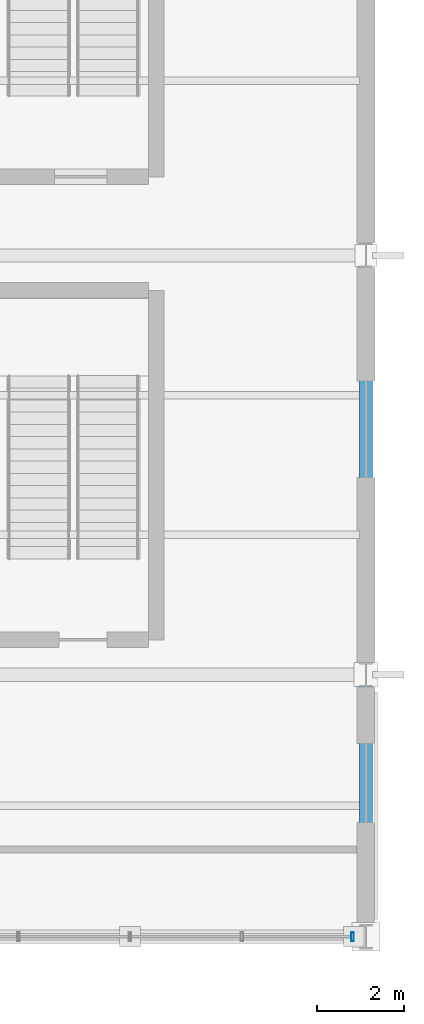
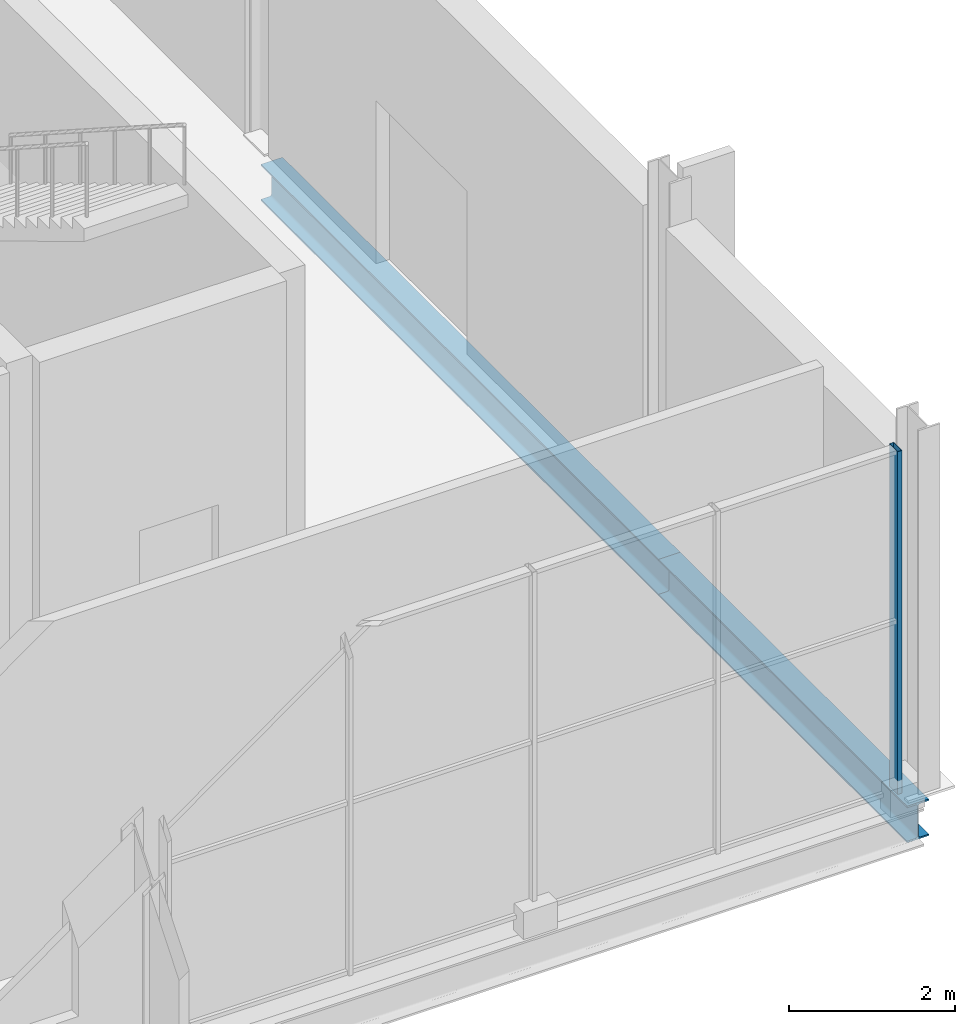
# One storey, part 141 of 196: 2 beams, 1 member, 1 element without a shape of its own.
"""IFC4 building model written with IfcOpenShell, lengths in metres."""

from ifc_helpers import new_model, si_unit, direction, frame, origin, origin_2d, place, context, subcontext, project, spatial, hollow_rectangle, i_section, extrude, material, material_profile, profile_set, type_object, element, aggregate, save


model = new_model("IFC4")

# Units and contexts
model_context = context("Model", 3, precision=1e-05, world=origin(), true_north=direction((0.0, 1.0)))
body_context = subcontext(model_context, "Body", "Model", "MODEL_VIEW")
ifc_project = project(units=[si_unit("LENGTHUNIT", "METRE"), si_unit("AREAUNIT", "SQUARE_METRE"), si_unit("VOLUMEUNIT", "CUBIC_METRE"), si_unit("PLANEANGLEUNIT", "RADIAN"), si_unit("MASSUNIT", "GRAM", prefix="KILO")], contexts=[model_context])

# Site, building, storey
site_placement = place(None, origin())
site = spatial("IfcSite", under=ifc_project, at=site_placement, CompositionType="ELEMENT")
building_placement = place(site_placement, origin())
building = spatial("IfcBuilding", under=site, at=building_placement, Name="Merenkruunu Market Hall", CompositionType="ELEMENT")
storey_placement = place(building_placement, origin())
storey = spatial("IfcBuildingStorey", under=building, at=storey_placement, Name="L00", CompositionType="ELEMENT", Elevation=0.0)

# Curtain wall, member
ifc_material_1 = material(Name="Powder-coated aluminium", Category="aluminium")
curtain_wall_type = type_object("IfcCurtainWallType", Name="Glazed Curtain Wall CW07", PredefinedType="USERDEFINED", material=ifc_material_1)
curtain_wall_placement = place(storey_placement, origin())
curtain_wall = element("IfcCurtainWall", 1, at=curtain_wall_placement, inside=storey, type_object=curtain_wall_type, Name="CW-L00-CWM03-202", ObjectType="GLAZED_FACADE", PredefinedType="USERDEFINED")
ifc_material_profile_1 = material_profile(ifc_material_1, hollow_rectangle(XDim=0.06005859375, YDim=0.199951171875, WallThickness=0.0048828125, at=origin_2d()), Name="ALU 60x200x5")
ifc_profile_set_1 = profile_set([ifc_material_profile_1], Name="Powder-coated aluminium")
member_type = type_object("IfcMemberType", Name="Curtain Wall Mullion CWM03", PredefinedType="MULLION", material=ifc_profile_set_1)
member_placement = place(storey_placement, frame((191.68994140625, 0.0, 0.0), z_axis=(0.0, 0.0, 1.0), x_axis=(-1.0, 0.0, 0.0)))
member = element("IfcMember", 2, at=member_placement, type_object=member_type, Name="CW07 mullion 1", PredefinedType="MULLION", context=body_context, shape_type="SweptSolid", body=[
    extrude(hollow_rectangle(XDim=0.06005859375, YDim=0.199951171875, WallThickness=0.0048828125, at=origin_2d()), origin(), (0.0, 0.0, 1.0), 5.050048828125),
])
aggregate(curtain_wall, [member])

# Beams
ifc_material_2 = material(Name="Steel S355J2", Category="steel")
ifc_material_profile_2 = material_profile(ifc_material_2, i_section(OverallWidth=0.300048828125, OverallDepth=0.5400390625, WebThickness=0.012451171875, FlangeThickness=0.02392578125, FilletRadius=0.027099609375, at=origin_2d()), Name="HEA 550")
ifc_profile_set_2 = profile_set([ifc_material_profile_2], Name="Steel S355J2")
beam_type = type_object("IfcBeamType", Name="Primary Floor Girder B06", PredefinedType="BEAM", material=ifc_profile_set_2)
beam_1_placement = place(storey_placement, frame((192.0, 0.0, -0.570068359375), z_axis=(0.0, 1.0, 0.0), x_axis=(-1.0, 0.0, 0.0)))
element("IfcBeam", 3, at=beam_1_placement, inside=storey, type_object=beam_type, Name="BM-L00-B06-0267", PredefinedType="BEAM", context=body_context, shape_type="SweptSolid", body=[
    extrude(i_section(OverallWidth=0.300048828125, OverallDepth=0.5400390625, WebThickness=0.012451171875, FlangeThickness=0.02392578125, FilletRadius=0.027099609375, at=origin_2d()), origin(), (0.0, 0.0, 1.0), 6.0),
])
beam_2_placement = place(storey_placement, frame((192.0, 6.0, -0.570068359375), z_axis=(0.0, 1.0, 0.0), x_axis=(-1.0, 0.0, 0.0)))
element("IfcBeam", 4, at=beam_2_placement, inside=storey, type_object=beam_type, Name="BM-L00-B06-0268", PredefinedType="BEAM", context=body_context, shape_type="SweptSolid", body=[
    extrude(i_section(OverallWidth=0.300048828125, OverallDepth=0.5400390625, WebThickness=0.012451171875, FlangeThickness=0.02392578125, FilletRadius=0.027099609375, at=origin_2d()), origin(), (0.0, 0.0, 1.0), 9.60009765625),
])

save(model, "model.ifc")
